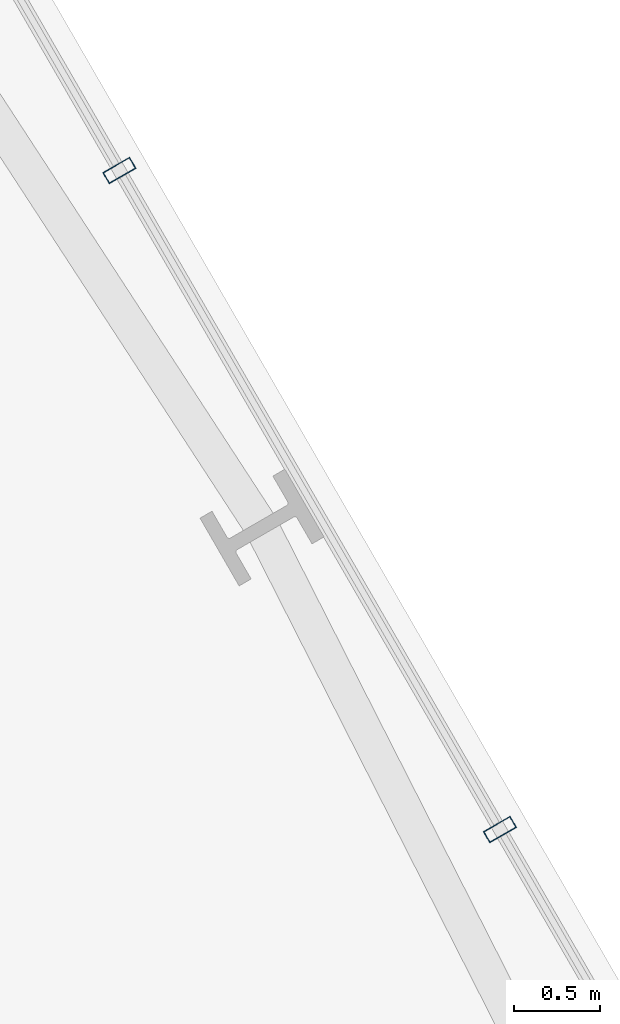
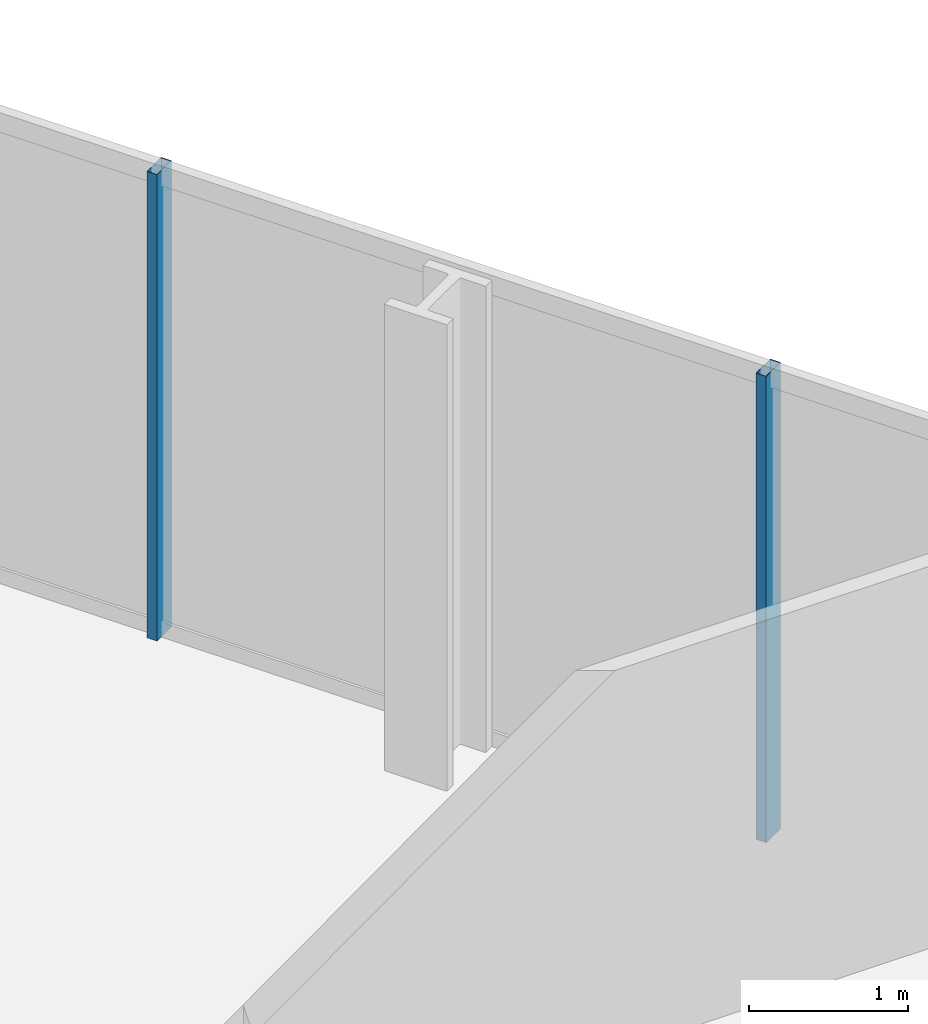
# One storey, part 19 of 32: 2 members, 1 element without a shape of its own.
"""IFC4 building model written with IfcOpenShell, lengths in metres."""

from ifc_helpers import new_model, si_unit, direction, frame, origin, origin_2d, place, context, subcontext, project, spatial, hollow_rectangle, extrude, material, layer, layer_set, material_profile, profile_set, type_object, element, aggregate, save


model = new_model("IFC4")

# Units and contexts
model_context = context("Model", 3, precision=1e-05, world=origin(), true_north=direction((0.0, 1.0)))
body_context = subcontext(model_context, "Body", "Model", "MODEL_VIEW")
ifc_project = project(units=[si_unit("LENGTHUNIT", "METRE"), si_unit("AREAUNIT", "SQUARE_METRE"), si_unit("VOLUMEUNIT", "CUBIC_METRE"), si_unit("PLANEANGLEUNIT", "RADIAN"), si_unit("MASSUNIT", "GRAM", prefix="KILO")], contexts=[model_context])

# Site, building, storey
site_placement = place(None, origin())
site = spatial("IfcSite", under=ifc_project, at=site_placement, CompositionType="ELEMENT")
building_placement = place(site_placement, origin())
building = spatial("IfcBuilding", under=site, at=building_placement, Name="Ndaravel Arena Tower", CompositionType="ELEMENT")
storey_placement = place(building_placement, frame((0.0, 0.0, 51.199951171875)))
storey = spatial("IfcBuildingStorey", under=building, at=storey_placement, Name="L10", CompositionType="ELEMENT", Elevation=51.199951171875)

# Curtain wall, members
ifc_material_1 = material(Name="Aluminium", Category="aluminium")
ifc_layer = layer(ifc_material_1, 0.179931640625)
ifc_layer_set = layer_set([ifc_layer], Name="Aluminium")
curtain_wall_type = type_object("IfcCurtainWallType", Name="CW-SYS-03", PredefinedType="NOTDEFINED", material=ifc_layer_set)
curtain_wall_placement = place(storey_placement, origin())
curtain_wall = element("IfcCurtainWall", 1, at=curtain_wall_placement, inside=storey, type_object=curtain_wall_type, Name="L10 Faceted Crystal Curtain Wall CW-L10-E03", PredefinedType="NOTDEFINED")
ifc_material_2 = material(Name="Aluminium", Category="aluminium")
ifc_material_profile = material_profile(ifc_material_2, hollow_rectangle(XDim=0.074951171875, YDim=0.179931640625, WallThickness=0.00390625, at=origin_2d()), Name="CW MULLION 75x180x4")
ifc_profile_set = profile_set([ifc_material_profile], Name="Aluminium")
member_type = type_object("IfcMemberType", Name="MEM-CW-MUL180", PredefinedType="MULLION", material=ifc_profile_set)
member_1_placement = place(storey_placement, frame((58.85888671875, 30.5302734375, 0.0), z_axis=(0.0, 0.0, 1.0), x_axis=(-0.5, 0.866025403784, 0.0)))
member_1 = element("IfcMember", 2, at=member_1_placement, type_object=member_type, Name="CW-L10-E03 Mullion 03", PredefinedType="MULLION", context=body_context, shape_type="SweptSolid", body=[
    extrude(hollow_rectangle(XDim=0.074951171875, YDim=0.179931640625, WallThickness=0.00390625, at=origin_2d()), origin(), (0.0, 0.0, 1.0), 3.580078125),
])
member_2_placement = place(storey_placement, frame((56.6474609375, 34.360595703125, 0.0), z_axis=(0.0, 0.0, 1.0), x_axis=(-0.5, 0.866025403784, 0.0)))
member_2 = element("IfcMember", 3, at=member_2_placement, type_object=member_type, Name="CW-L10-E03 Mullion 04", PredefinedType="MULLION", context=body_context, shape_type="SweptSolid", body=[
    extrude(hollow_rectangle(XDim=0.074951171875, YDim=0.179931640625, WallThickness=0.00390625, at=origin_2d()), origin(), (0.0, 0.0, 1.0), 3.580078125),
])
aggregate(curtain_wall, [member_1, member_2])

save(model, "model.ifc")
